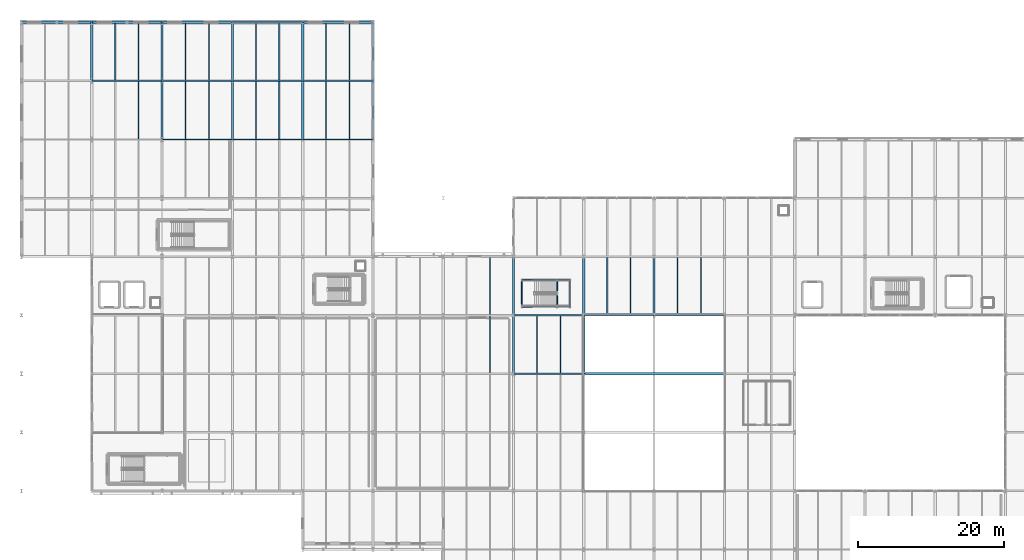
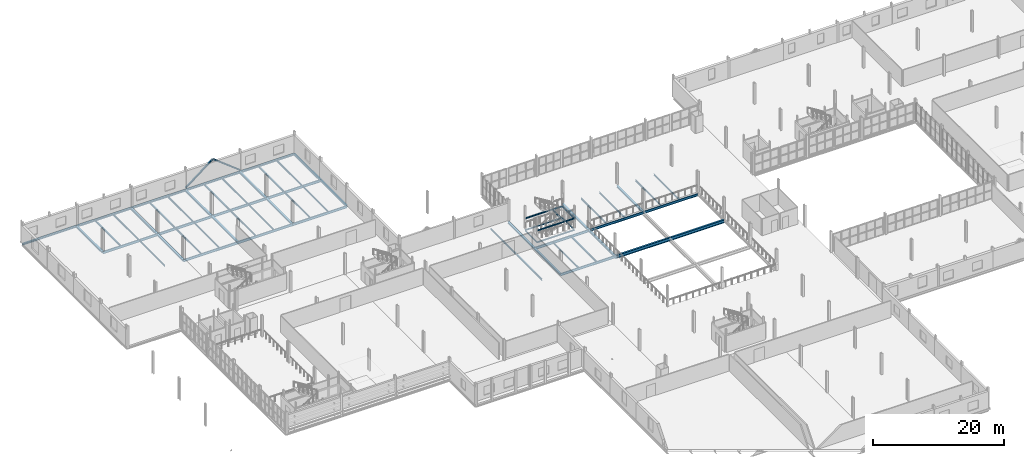
# One storey, part 38 of 78: 62 beams, 2 members.
"""IFC4 building model written with IfcOpenShell, lengths in metres."""

from ifc_helpers import new_model, si_unit, direction, frame, origin, origin_2d, place, context, subcontext, project, spatial, i_section, extrude, material, material_profile, profile_set, type_object, element, save


model = new_model("IFC4")

# Units and contexts
model_context = context("Model", 3, precision=1e-05, world=origin(), true_north=direction((0.0, 1.0)))
body_context = subcontext(model_context, "Body", "Model", "MODEL_VIEW")
ifc_project = project(units=[si_unit("LENGTHUNIT", "METRE"), si_unit("AREAUNIT", "SQUARE_METRE"), si_unit("VOLUMEUNIT", "CUBIC_METRE"), si_unit("PLANEANGLEUNIT", "RADIAN"), si_unit("MASSUNIT", "GRAM", prefix="KILO")], contexts=[model_context])

# Site, building, storey
site_placement = place(None, origin())
site = spatial("IfcSite", under=ifc_project, at=site_placement, CompositionType="ELEMENT")
building_placement = place(site_placement, origin())
building = spatial("IfcBuilding", under=site, at=building_placement, Name="Alderhovde Museum", CompositionType="ELEMENT")
storey_placement = place(building_placement, frame((0.0, 0.0, 4.5)))
storey = spatial("IfcBuildingStorey", under=building, at=storey_placement, Name="L01", CompositionType="ELEMENT", Elevation=4.5)

# Beams
ifc_material_1 = material(Name="Steel S355J2", Category="steel")
ifc_material_profile_1 = material_profile(ifc_material_1, i_section(OverallWidth=0.300048828125, OverallDepth=0.330078125, WebThickness=0.009521484375, FlangeThickness=0.0166015625, FilletRadius=0.027099609375, at=origin_2d()), Name="HEA 340")
ifc_profile_set_1 = profile_set([ifc_material_profile_1], Name="Steel S355J2")
beam_type_1 = type_object("IfcBeamType", Name="BM-HEA340", PredefinedType="BEAM", material=ifc_profile_set_1)
for number, where, z_axis, x_axis, name in (
    (1, (19.199951171875, 104.0, -0.425048828125), (0.0, 1.0, 0.0), (-1.0, 0.0, 0.0), "L01 Grid Beam X=19.2 (104.0 TO 112.0)"),
    (2, (28.800048828125, 96.0, -0.425048828125), (0.0, 1.0, 0.0), (-1.0, 0.0, 0.0), "L01 Grid Beam X=28.8 (96.0 TO 104.0)"),
    (3, (28.800048828125, 104.0, -0.425048828125), (0.0, 1.0, 0.0), (-1.0, 0.0, 0.0), "L01 Grid Beam X=28.8 (104.0 TO 112.0)"),
    (4, (38.39990234375, 96.0, -0.425048828125), (0.0, 1.0, 0.0), (-1.0, 0.0, 0.0), "L01 Grid Beam X=38.4 (96.0 TO 104.0)"),
    (5, (38.39990234375, 104.0, -0.425048828125), (0.0, 1.0, 0.0), (-1.0, 0.0, 0.0), "L01 Grid Beam X=38.4 (104.0 TO 112.0)"),
    (6, (48.0, 96.0, -0.425048828125), (0.0, 1.0, 0.0), (-1.0, 0.0, 0.0), "L01 Grid Beam X=48.0 (96.0 TO 104.0)"),
    (7, (48.0, 104.0, -0.425048828125), (0.0, 1.0, 0.0), (-1.0, 0.0, 0.0), "L01 Grid Beam X=48.0 (104.0 TO 112.0)"),
    (8, (57.60009765625, 96.0, -0.425048828125), (0.0, 1.0, 0.0), (-1.0, 0.0, 0.0), "L01 Grid Beam X=57.6 (96.0 TO 104.0)"),
    (9, (57.60009765625, 104.0, -0.425048828125), (0.0, 1.0, 0.0), (-1.0, 0.0, 0.0), "L01 Grid Beam X=57.6 (104.0 TO 112.0)"),
    (10, (76.800048828125, 64.0, -0.425048828125), (0.0, 1.0, 0.0), (-1.0, 0.0, 0.0), "L01 Grid Beam X=76.8 (64.0 TO 72.0)"),
    (11, (76.800048828125, 72.0, -0.425048828125), (0.0, 1.0, 0.0), (-1.0, 0.0, 0.0), "L01 Grid Beam X=76.8 (72.0 TO 80.0)"),
    (12, (86.39990234375, 64.0, -0.425048828125), (0.0, 1.0, 0.0), (-1.0, 0.0, 0.0), "L01 Grid Beam X=86.4 (64.0 TO 72.0)"),
    (13, (86.39990234375, 72.0, -0.425048828125), (0.0, 1.0, 0.0), (-1.0, 0.0, 0.0), "L01 Grid Beam X=86.4 (72.0 TO 80.0)"),
    (14, (96.0, 72.0, -0.425048828125), (0.0, 1.0, 0.0), (-1.0, 0.0, 0.0), "L01 Grid Beam X=96.0 (72.0 TO 80.0)"),
):
    element("IfcBeam", number, at=place(storey_placement, frame(where, z_axis=z_axis, x_axis=x_axis)), inside=storey, type_object=beam_type_1, Name=name, PredefinedType="BEAM", context=body_context, shape_type="SweptSolid", body=[
        extrude(i_section(OverallWidth=0.300048828125, OverallDepth=0.330078125, WebThickness=0.009521484375, FlangeThickness=0.0166015625, FilletRadius=0.027099609375, at=origin_2d()), origin(), (0.0, 0.0, 1.0), 8.0),
    ])
ifc_material_2 = material(Name="Steel S355J2", Category="steel")
ifc_material_profile_2 = material_profile(ifc_material_2, i_section(OverallWidth=0.300048828125, OverallDepth=0.60009765625, WebThickness=0.015380859375, FlangeThickness=0.030029296875, FilletRadius=0.027099609375, at=origin_2d()), Name="HEB 600")
ifc_profile_set_2 = profile_set([ifc_material_profile_2], Name="Steel S355J2")
beam_type_2 = type_object("IfcBeamType", Name="BM-HEB600", PredefinedType="BEAM", material=ifc_profile_set_2)
beam_1_placement = place(storey_placement, frame((86.39990234375, 64.0, -0.56005859375), z_axis=(1.0, 0.0, 0.0), x_axis=(0.0, 1.0, 0.0)))
element("IfcBeam", 15, at=beam_1_placement, inside=storey, type_object=beam_type_2, Name="L01 Grid Beam Y=64.0 (86.4 TO 105.6)", PredefinedType="BEAM", context=body_context, shape_type="SweptSolid", body=[
    extrude(i_section(OverallWidth=0.300048828125, OverallDepth=0.60009765625, WebThickness=0.015380859375, FlangeThickness=0.030029296875, FilletRadius=0.027099609375, at=origin_2d()), origin(), (0.0, 0.0, 1.0), 19.2001953125),
])
ifc_material_3 = material(Name="Steel S355J2", Category="steel")
ifc_material_profile_3 = material_profile(ifc_material_3, i_section(OverallWidth=0.1201171875, OverallDepth=0.239990234375, WebThickness=0.006103515625, FlangeThickness=0.009765625, FilletRadius=0.014892578125, at=origin_2d()), Name="IPE 240")
ifc_profile_set_3 = profile_set([ifc_material_profile_3], Name="Steel S355J2")
beam_type_3 = type_object("IfcBeamType", Name="BM-IPE240", PredefinedType="BEAM", material=ifc_profile_set_3)
for number, where, z_axis, x_axis, name in (
    (16, (77.919921875, 73.1201171875, -0.3798828125), (1.0, 0.0, 0.0), (0.0, 1.0, 0.0), "L01 Stair ST5 Floor Trimmer S"),
    (17, (77.919921875, 76.840087890625, -0.3798828125), (1.0, 0.0, 0.0), (0.0, 1.0, 0.0), "L01 Stair ST5 Floor Trimmer N"),
):
    element("IfcBeam", number, at=place(storey_placement, frame(where, z_axis=z_axis, x_axis=x_axis)), inside=storey, type_object=beam_type_3, Name=name, PredefinedType="BEAM", context=body_context, shape_type="SweptSolid", body=[
        extrude(i_section(OverallWidth=0.1201171875, OverallDepth=0.239990234375, WebThickness=0.006103515625, FlangeThickness=0.009765625, FilletRadius=0.014892578125, at=origin_2d()), origin(), (0.0, 0.0, 1.0), 6.60009765625),
    ])
for number, where, z_axis, x_axis, name in (
    (18, (77.919921875, 73.1201171875, -0.3798828125), (0.0, 1.0, 0.0), (-1.0, 0.0, 0.0), "L01 Stair ST5 Floor Trimmer W"),
    (19, (84.52001953125, 73.1201171875, -0.3798828125), (0.0, 1.0, 0.0), (-1.0, 0.0, 0.0), "L01 Stair ST5 Floor Trimmer E"),
):
    element("IfcBeam", number, at=place(storey_placement, frame(where, z_axis=z_axis, x_axis=x_axis)), inside=storey, type_object=beam_type_3, Name=name, PredefinedType="BEAM", context=body_context, shape_type="SweptSolid", body=[
        extrude(i_section(OverallWidth=0.1201171875, OverallDepth=0.239990234375, WebThickness=0.006103515625, FlangeThickness=0.009765625, FilletRadius=0.014892578125, at=origin_2d()), origin(), (0.0, 0.0, 1.0), 3.719970703125),
    ])
for number, where, z_axis, x_axis, name in (
    (20, (77.919921875, 73.1201171875, 1.780029296875), (1.0, 0.0, 0.0), (0.0, 1.0, 0.0), "L01 Stair ST5 Landing 1 Beam S"),
    (21, (77.919921875, 76.840087890625, 1.780029296875), (1.0, 0.0, 0.0), (0.0, 1.0, 0.0), "L01 Stair ST5 Landing 1 Beam N"),
):
    element("IfcBeam", number, at=place(storey_placement, frame(where, z_axis=z_axis, x_axis=x_axis)), inside=storey, type_object=beam_type_3, Name=name, PredefinedType="BEAM", context=body_context, shape_type="SweptSolid", body=[
        extrude(i_section(OverallWidth=0.1201171875, OverallDepth=0.239990234375, WebThickness=0.006103515625, FlangeThickness=0.009765625, FilletRadius=0.014892578125, at=origin_2d()), origin(), (0.0, 0.0, 1.0), 6.60009765625),
    ])
for number, where, z_axis, x_axis, name in (
    (22, (82.760009765625, 73.1201171875, 1.780029296875), (0.0, 1.0, 0.0), (-1.0, 0.0, 0.0), "L01 Stair ST5 Landing 1 Beam W"),
    (23, (84.43994140625, 73.1201171875, 1.780029296875), (0.0, 1.0, 0.0), (-1.0, 0.0, 0.0), "L01 Stair ST5 Landing 1 Beam E"),
):
    element("IfcBeam", number, at=place(storey_placement, frame(where, z_axis=z_axis, x_axis=x_axis)), inside=storey, type_object=beam_type_3, Name=name, PredefinedType="BEAM", context=body_context, shape_type="SweptSolid", body=[
        extrude(i_section(OverallWidth=0.1201171875, OverallDepth=0.239990234375, WebThickness=0.006103515625, FlangeThickness=0.009765625, FilletRadius=0.014892578125, at=origin_2d()), origin(), (0.0, 0.0, 1.0), 3.719970703125),
    ])
ifc_material_4 = material(Name="Steel S355J2", Category="steel")
ifc_material_profile_4 = material_profile(ifc_material_4, i_section(OverallWidth=0.18994140625, OverallDepth=0.449951171875, WebThickness=0.009521484375, FlangeThickness=0.0146484375, FilletRadius=0.02099609375, at=origin_2d()), Name="IPE 450")
ifc_profile_set_4 = profile_set([ifc_material_profile_4], Name="Steel S355J2")
beam_type_4 = type_object("IfcBeamType", Name="BM-IPE450", PredefinedType="BEAM", material=ifc_profile_set_4)
for number, where, z_axis, x_axis, name in (
    (24, (76.800048828125, 64.0, -0.485107421875), (1.0, 0.0, 0.0), (0.0, 1.0, 0.0), "L01 Grid Beam Y=64.0 (76.8 TO 86.4)"),
    (25, (76.800048828125, 72.0, -0.485107421875), (1.0, 0.0, 0.0), (0.0, 1.0, 0.0), "L01 Grid Beam Y=72.0 (76.8 TO 86.4)"),
):
    element("IfcBeam", number, at=place(storey_placement, frame(where, z_axis=z_axis, x_axis=x_axis)), inside=storey, type_object=beam_type_4, Name=name, PredefinedType="BEAM", context=body_context, shape_type="SweptSolid", body=[
        extrude(i_section(OverallWidth=0.18994140625, OverallDepth=0.449951171875, WebThickness=0.009521484375, FlangeThickness=0.0146484375, FilletRadius=0.02099609375, at=origin_2d()), origin(), (0.0, 0.0, 1.0), 9.599853515625),
    ])
for number, where, z_axis, x_axis, name in (
    (26, (86.39990234375, 72.0, -0.485107421875), (1.0, 0.0, 0.0), (0.0, 1.0, 0.0), "L01 Grid Beam Y=72.0 (86.4 TO 96.0)"),
    (27, (96.0, 72.0, -0.485107421875), (1.0, 0.0, 0.0), (0.0, 1.0, 0.0), "L01 Grid Beam Y=72.0 (96.0 TO 105.6)"),
):
    element("IfcBeam", number, at=place(storey_placement, frame(where, z_axis=z_axis, x_axis=x_axis)), inside=storey, type_object=beam_type_4, Name=name, PredefinedType="BEAM", context=body_context, shape_type="SweptSolid", body=[
        extrude(i_section(OverallWidth=0.18994140625, OverallDepth=0.449951171875, WebThickness=0.009521484375, FlangeThickness=0.0146484375, FilletRadius=0.02099609375, at=origin_2d()), origin(), (0.0, 0.0, 1.0), 9.60009765625),
    ])
beam_2_placement = place(storey_placement, frame((28.800048828125, 96.0, -0.485107421875), z_axis=(1.0, 0.0, 0.0), x_axis=(0.0, 1.0, 0.0)))
element("IfcBeam", 28, at=beam_2_placement, inside=storey, type_object=beam_type_4, Name="L01 Grid Beam Y=96.0 (28.8 TO 38.4)", PredefinedType="BEAM", context=body_context, shape_type="SweptSolid", body=[
    extrude(i_section(OverallWidth=0.18994140625, OverallDepth=0.449951171875, WebThickness=0.009521484375, FlangeThickness=0.0146484375, FilletRadius=0.02099609375, at=origin_2d()), origin(), (0.0, 0.0, 1.0), 9.599853515625),
])
for number, where, z_axis, x_axis, name in (
    (29, (38.39990234375, 96.0, -0.485107421875), (1.0, 0.0, 0.0), (0.0, 1.0, 0.0), "L01 Grid Beam Y=96.0 (38.4 TO 48.0)"),
    (30, (48.0, 96.0, -0.485107421875), (1.0, 0.0, 0.0), (0.0, 1.0, 0.0), "L01 Grid Beam Y=96.0 (48.0 TO 57.6)"),
    (31, (19.199951171875, 104.0, -0.485107421875), (1.0, 0.0, 0.0), (0.0, 1.0, 0.0), "L01 Grid Beam Y=104.0 (19.2 TO 28.8)"),
):
    element("IfcBeam", number, at=place(storey_placement, frame(where, z_axis=z_axis, x_axis=x_axis)), inside=storey, type_object=beam_type_4, Name=name, PredefinedType="BEAM", context=body_context, shape_type="SweptSolid", body=[
        extrude(i_section(OverallWidth=0.18994140625, OverallDepth=0.449951171875, WebThickness=0.009521484375, FlangeThickness=0.0146484375, FilletRadius=0.02099609375, at=origin_2d()), origin(), (0.0, 0.0, 1.0), 9.60009765625),
    ])
beam_3_placement = place(storey_placement, frame((28.800048828125, 104.0, -0.485107421875), z_axis=(1.0, 0.0, 0.0), x_axis=(0.0, 1.0, 0.0)))
element("IfcBeam", 32, at=beam_3_placement, inside=storey, type_object=beam_type_4, Name="L01 Grid Beam Y=104.0 (28.8 TO 38.4)", PredefinedType="BEAM", context=body_context, shape_type="SweptSolid", body=[
    extrude(i_section(OverallWidth=0.18994140625, OverallDepth=0.449951171875, WebThickness=0.009521484375, FlangeThickness=0.0146484375, FilletRadius=0.02099609375, at=origin_2d()), origin(), (0.0, 0.0, 1.0), 9.599853515625),
])
for number, where, z_axis, x_axis, name in (
    (33, (38.39990234375, 104.0, -0.485107421875), (1.0, 0.0, 0.0), (0.0, 1.0, 0.0), "L01 Grid Beam Y=104.0 (38.4 TO 48.0)"),
    (34, (48.0, 104.0, -0.485107421875), (1.0, 0.0, 0.0), (0.0, 1.0, 0.0), "L01 Grid Beam Y=104.0 (48.0 TO 57.6)"),
):
    element("IfcBeam", number, at=place(storey_placement, frame(where, z_axis=z_axis, x_axis=x_axis)), inside=storey, type_object=beam_type_4, Name=name, PredefinedType="BEAM", context=body_context, shape_type="SweptSolid", body=[
        extrude(i_section(OverallWidth=0.18994140625, OverallDepth=0.449951171875, WebThickness=0.009521484375, FlangeThickness=0.0146484375, FilletRadius=0.02099609375, at=origin_2d()), origin(), (0.0, 0.0, 1.0), 9.60009765625),
    ])

# Members
ifc_material_5 = material(Name="Steel S355J2", Category="steel")
ifc_material_profile_5 = material_profile(ifc_material_5, i_section(OverallWidth=0.239990234375, OverallDepth=0.22998046875, WebThickness=0.007568359375, FlangeThickness=0.011962890625, FilletRadius=0.02099609375, at=origin_2d()), Name="HEA 240")
ifc_profile_set_5 = profile_set([ifc_material_profile_5], Name="Steel S355J2")
member_type = type_object("IfcMemberType", Name="BR-HEA240", PredefinedType="BRACE", material=ifc_profile_set_5)
for number, where, z_axis, x_axis, name in (
    (35, (38.39990234375, 112.0, 0.0), (0.790420405146, 0.0, 0.612564758314), (0.0, 1.0, 0.0), "L01 Chevron Brace BR-V4-N-L"),
    (36, (48.0, 112.0, 0.0), (-0.790420405146, 0.0, 0.612564758314), (0.0, -1.0, 0.0), "L01 Chevron Brace BR-V4-N-R"),
):
    element("IfcMember", number, at=place(storey_placement, frame(where, z_axis=z_axis, x_axis=x_axis)), inside=storey, type_object=member_type, Name=name, PredefinedType="BRACE", context=body_context, shape_type="SweptSolid", body=[
        extrude(i_section(OverallWidth=0.239990234375, OverallDepth=0.22998046875, WebThickness=0.007568359375, FlangeThickness=0.011962890625, FilletRadius=0.02099609375, at=origin_2d()), origin(), (0.0, 0.0, 1.0), 6.07275390625),
    ])

# Beams
ifc_material_6 = material(Name="Steel S355J2", Category="steel")
ifc_material_profile_6 = material_profile(ifc_material_6, i_section(OverallWidth=0.14990234375, OverallDepth=0.300048828125, WebThickness=0.007080078125, FlangeThickness=0.0107421875, FilletRadius=0.014892578125, at=origin_2d()), Name="IPE 300")
ifc_profile_set_6 = profile_set([ifc_material_profile_6], Name="Steel S355J2")
beam_type_5 = type_object("IfcBeamType", Name="JST-IPE300", PredefinedType="JOIST", material=ifc_profile_set_6)
beam_4_placement = place(storey_placement, frame((25.60009765625, 96.094970703125, -0.409912109375), z_axis=(0.0, 1.0, 0.0), x_axis=(-1.0, 0.0, 0.0)))
element("IfcBeam", 37, at=beam_4_placement, inside=storey, type_object=beam_type_5, Name="L01 Composite Joist X=25.6 (96.0 TO 104.0)", PredefinedType="JOIST", context=body_context, shape_type="SweptSolid", body=[
    extrude(i_section(OverallWidth=0.14990234375, OverallDepth=0.300048828125, WebThickness=0.007080078125, FlangeThickness=0.0107421875, FilletRadius=0.014892578125, at=origin_2d()), origin(), (0.0, 0.0, 1.0), 7.81005859375),
])
for number, where, z_axis, x_axis, name in (
    (38, (22.39990234375, 104.094970703125, -0.409912109375), (0.0, 1.0, 0.0), (-1.0, 0.0, 0.0), "L01 Composite Joist X=22.4 (104.0 TO 112.0)"),
    (39, (25.60009765625, 104.094970703125, -0.409912109375), (0.0, 1.0, 0.0), (-1.0, 0.0, 0.0), "L01 Composite Joist X=25.6 (104.0 TO 112.0)"),
):
    element("IfcBeam", number, at=place(storey_placement, frame(where, z_axis=z_axis, x_axis=x_axis)), inside=storey, type_object=beam_type_5, Name=name, PredefinedType="JOIST", context=body_context, shape_type="SweptSolid", body=[
        extrude(i_section(OverallWidth=0.14990234375, OverallDepth=0.300048828125, WebThickness=0.007080078125, FlangeThickness=0.0107421875, FilletRadius=0.014892578125, at=origin_2d()), origin(), (0.0, 0.0, 1.0), 7.755126953125),
    ])
for number, where, z_axis, x_axis, name in (
    (40, (32.0, 96.094970703125, -0.409912109375), (0.0, 1.0, 0.0), (-1.0, 0.0, 0.0), "L01 Composite Joist X=32.0 (96.0 TO 104.0)"),
    (41, (35.199951171875, 96.094970703125, -0.409912109375), (0.0, 1.0, 0.0), (-1.0, 0.0, 0.0), "L01 Composite Joist X=35.2 (96.0 TO 104.0)"),
):
    element("IfcBeam", number, at=place(storey_placement, frame(where, z_axis=z_axis, x_axis=x_axis)), inside=storey, type_object=beam_type_5, Name=name, PredefinedType="JOIST", context=body_context, shape_type="SweptSolid", body=[
        extrude(i_section(OverallWidth=0.14990234375, OverallDepth=0.300048828125, WebThickness=0.007080078125, FlangeThickness=0.0107421875, FilletRadius=0.014892578125, at=origin_2d()), origin(), (0.0, 0.0, 1.0), 7.81005859375),
    ])
for number, where, z_axis, x_axis, name in (
    (42, (32.0, 104.094970703125, -0.409912109375), (0.0, 1.0, 0.0), (-1.0, 0.0, 0.0), "L01 Composite Joist X=32.0 (104.0 TO 112.0)"),
    (43, (35.199951171875, 104.094970703125, -0.409912109375), (0.0, 1.0, 0.0), (-1.0, 0.0, 0.0), "L01 Composite Joist X=35.2 (104.0 TO 112.0)"),
):
    element("IfcBeam", number, at=place(storey_placement, frame(where, z_axis=z_axis, x_axis=x_axis)), inside=storey, type_object=beam_type_5, Name=name, PredefinedType="JOIST", context=body_context, shape_type="SweptSolid", body=[
        extrude(i_section(OverallWidth=0.14990234375, OverallDepth=0.300048828125, WebThickness=0.007080078125, FlangeThickness=0.0107421875, FilletRadius=0.014892578125, at=origin_2d()), origin(), (0.0, 0.0, 1.0), 7.755126953125),
    ])
for number, where, z_axis, x_axis, name in (
    (44, (41.60009765625, 96.094970703125, -0.409912109375), (0.0, 1.0, 0.0), (-1.0, 0.0, 0.0), "L01 Composite Joist X=41.6 (96.0 TO 104.0)"),
    (45, (44.800048828125, 96.094970703125, -0.409912109375), (0.0, 1.0, 0.0), (-1.0, 0.0, 0.0), "L01 Composite Joist X=44.8 (96.0 TO 104.0)"),
):
    element("IfcBeam", number, at=place(storey_placement, frame(where, z_axis=z_axis, x_axis=x_axis)), inside=storey, type_object=beam_type_5, Name=name, PredefinedType="JOIST", context=body_context, shape_type="SweptSolid", body=[
        extrude(i_section(OverallWidth=0.14990234375, OverallDepth=0.300048828125, WebThickness=0.007080078125, FlangeThickness=0.0107421875, FilletRadius=0.014892578125, at=origin_2d()), origin(), (0.0, 0.0, 1.0), 7.81005859375),
    ])
for number, where, z_axis, x_axis, name in (
    (46, (41.60009765625, 104.094970703125, -0.409912109375), (0.0, 1.0, 0.0), (-1.0, 0.0, 0.0), "L01 Composite Joist X=41.6 (104.0 TO 112.0)"),
    (47, (44.800048828125, 104.094970703125, -0.409912109375), (0.0, 1.0, 0.0), (-1.0, 0.0, 0.0), "L01 Composite Joist X=44.8 (104.0 TO 112.0)"),
):
    element("IfcBeam", number, at=place(storey_placement, frame(where, z_axis=z_axis, x_axis=x_axis)), inside=storey, type_object=beam_type_5, Name=name, PredefinedType="JOIST", context=body_context, shape_type="SweptSolid", body=[
        extrude(i_section(OverallWidth=0.14990234375, OverallDepth=0.300048828125, WebThickness=0.007080078125, FlangeThickness=0.0107421875, FilletRadius=0.014892578125, at=origin_2d()), origin(), (0.0, 0.0, 1.0), 7.755126953125),
    ])
for number, where, z_axis, x_axis, name in (
    (48, (51.199951171875, 96.094970703125, -0.409912109375), (0.0, 1.0, 0.0), (-1.0, 0.0, 0.0), "L01 Composite Joist X=51.2 (96.0 TO 104.0)"),
    (49, (54.39990234375, 96.094970703125, -0.409912109375), (0.0, 1.0, 0.0), (-1.0, 0.0, 0.0), "L01 Composite Joist X=54.4 (96.0 TO 104.0)"),
):
    element("IfcBeam", number, at=place(storey_placement, frame(where, z_axis=z_axis, x_axis=x_axis)), inside=storey, type_object=beam_type_5, Name=name, PredefinedType="JOIST", context=body_context, shape_type="SweptSolid", body=[
        extrude(i_section(OverallWidth=0.14990234375, OverallDepth=0.300048828125, WebThickness=0.007080078125, FlangeThickness=0.0107421875, FilletRadius=0.014892578125, at=origin_2d()), origin(), (0.0, 0.0, 1.0), 7.81005859375),
    ])
for number, where, z_axis, x_axis, name in (
    (50, (51.199951171875, 104.094970703125, -0.409912109375), (0.0, 1.0, 0.0), (-1.0, 0.0, 0.0), "L01 Composite Joist X=51.2 (104.0 TO 112.0)"),
    (51, (54.39990234375, 104.094970703125, -0.409912109375), (0.0, 1.0, 0.0), (-1.0, 0.0, 0.0), "L01 Composite Joist X=54.4 (104.0 TO 112.0)"),
):
    element("IfcBeam", number, at=place(storey_placement, frame(where, z_axis=z_axis, x_axis=x_axis)), inside=storey, type_object=beam_type_5, Name=name, PredefinedType="JOIST", context=body_context, shape_type="SweptSolid", body=[
        extrude(i_section(OverallWidth=0.14990234375, OverallDepth=0.300048828125, WebThickness=0.007080078125, FlangeThickness=0.0107421875, FilletRadius=0.014892578125, at=origin_2d()), origin(), (0.0, 0.0, 1.0), 7.755126953125),
    ])
beam_5_placement = place(storey_placement, frame((73.60009765625, 64.094970703125, -0.409912109375), z_axis=(0.0, 1.0, 0.0), x_axis=(-1.0, 0.0, 0.0)))
element("IfcBeam", 52, at=beam_5_placement, inside=storey, type_object=beam_type_5, Name="L01 Composite Joist X=73.6 (64.0 TO 72.0)", PredefinedType="JOIST", context=body_context, shape_type="SweptSolid", body=[
    extrude(i_section(OverallWidth=0.14990234375, OverallDepth=0.300048828125, WebThickness=0.007080078125, FlangeThickness=0.0107421875, FilletRadius=0.014892578125, at=origin_2d()), origin(), (0.0, 0.0, 1.0), 7.81005859375),
])
beam_6_placement = place(storey_placement, frame((73.60009765625, 72.094970703125, -0.409912109375), z_axis=(0.0, 1.0, 0.0), x_axis=(-1.0, 0.0, 0.0)))
element("IfcBeam", 53, at=beam_6_placement, inside=storey, type_object=beam_type_5, Name="L01 Composite Joist X=73.6 (72.0 TO 80.0)", PredefinedType="JOIST", context=body_context, shape_type="SweptSolid", body=[
    extrude(i_section(OverallWidth=0.14990234375, OverallDepth=0.300048828125, WebThickness=0.007080078125, FlangeThickness=0.0107421875, FilletRadius=0.014892578125, at=origin_2d()), origin(), (0.0, 0.0, 1.0), 7.755126953125),
])
for number, where, z_axis, x_axis, name in (
    (54, (80.0, 64.094970703125, -0.409912109375), (0.0, 1.0, 0.0), (-1.0, 0.0, 0.0), "L01 Composite Joist X=80.0 (64.0 TO 72.0)"),
    (55, (83.199951171875, 64.094970703125, -0.409912109375), (0.0, 1.0, 0.0), (-1.0, 0.0, 0.0), "L01 Composite Joist X=83.2 (64.0 TO 72.0)"),
    (56, (89.60009765625, 72.094970703125, -0.409912109375), (0.0, 1.0, 0.0), (-1.0, 0.0, 0.0), "L01 Composite Joist X=89.6 (72.0 TO 80.0)"),
    (57, (92.800048828125, 72.094970703125, -0.409912109375), (0.0, 1.0, 0.0), (-1.0, 0.0, 0.0), "L01 Composite Joist X=92.8 (72.0 TO 80.0)"),
    (58, (99.199951171875, 72.094970703125, -0.409912109375), (0.0, 1.0, 0.0), (-1.0, 0.0, 0.0), "L01 Composite Joist X=99.2 (72.0 TO 80.0)"),
    (59, (102.39990234375, 72.094970703125, -0.409912109375), (0.0, 1.0, 0.0), (-1.0, 0.0, 0.0), "L01 Composite Joist X=102.4 (72.0 TO 80.0)"),
):
    element("IfcBeam", number, at=place(storey_placement, frame(where, z_axis=z_axis, x_axis=x_axis)), inside=storey, type_object=beam_type_5, Name=name, PredefinedType="JOIST", context=body_context, shape_type="SweptSolid", body=[
        extrude(i_section(OverallWidth=0.14990234375, OverallDepth=0.300048828125, WebThickness=0.007080078125, FlangeThickness=0.0107421875, FilletRadius=0.014892578125, at=origin_2d()), origin(), (0.0, 0.0, 1.0), 7.81005859375),
    ])
ifc_material_7 = material(Name="Steel S355J2", Category="steel")
ifc_material_profile_7 = material_profile(ifc_material_7, i_section(OverallWidth=0.300048828125, OverallDepth=0.2900390625, WebThickness=0.008544921875, FlangeThickness=0.013916015625, FilletRadius=0.027099609375, at=origin_2d()), Name="HEA 300")
ifc_profile_set_7 = profile_set([ifc_material_profile_7], Name="Steel S355J2")
beam_type_6 = type_object("IfcBeamType", Name="SPD-HEA300", PredefinedType="SPANDREL", material=ifc_profile_set_7)
beam_7_placement = place(storey_placement, frame((9.60009765625, 112.0, -0.405029296875), z_axis=(1.0, 0.0, 0.0), x_axis=(0.0, 1.0, 0.0)))
element("IfcBeam", 60, at=beam_7_placement, inside=storey, type_object=beam_type_6, Name="L01 Grid Beam Y=112.0 (9.6 TO 19.2)", PredefinedType="SPANDREL", context=body_context, shape_type="SweptSolid", body=[
    extrude(i_section(OverallWidth=0.300048828125, OverallDepth=0.2900390625, WebThickness=0.008544921875, FlangeThickness=0.013916015625, FilletRadius=0.027099609375, at=origin_2d()), origin(), (0.0, 0.0, 1.0), 9.599853515625),
])
beam_8_placement = place(storey_placement, frame((19.199951171875, 112.0, -0.405029296875), z_axis=(1.0, 0.0, 0.0), x_axis=(0.0, 1.0, 0.0)))
element("IfcBeam", 61, at=beam_8_placement, inside=storey, type_object=beam_type_6, Name="L01 Grid Beam Y=112.0 (19.2 TO 28.8)", PredefinedType="SPANDREL", context=body_context, shape_type="SweptSolid", body=[
    extrude(i_section(OverallWidth=0.300048828125, OverallDepth=0.2900390625, WebThickness=0.008544921875, FlangeThickness=0.013916015625, FilletRadius=0.027099609375, at=origin_2d()), origin(), (0.0, 0.0, 1.0), 9.60009765625),
])
beam_9_placement = place(storey_placement, frame((28.800048828125, 112.0, -0.405029296875), z_axis=(1.0, 0.0, 0.0), x_axis=(0.0, 1.0, 0.0)))
element("IfcBeam", 62, at=beam_9_placement, inside=storey, type_object=beam_type_6, Name="L01 Grid Beam Y=112.0 (28.8 TO 38.4)", PredefinedType="SPANDREL", context=body_context, shape_type="SweptSolid", body=[
    extrude(i_section(OverallWidth=0.300048828125, OverallDepth=0.2900390625, WebThickness=0.008544921875, FlangeThickness=0.013916015625, FilletRadius=0.027099609375, at=origin_2d()), origin(), (0.0, 0.0, 1.0), 9.599853515625),
])
for number, where, z_axis, x_axis, name in (
    (63, (38.39990234375, 112.0, -0.405029296875), (1.0, 0.0, 0.0), (0.0, 1.0, 0.0), "L01 Grid Beam Y=112.0 (38.4 TO 48.0)"),
    (64, (48.0, 112.0, -0.405029296875), (1.0, 0.0, 0.0), (0.0, 1.0, 0.0), "L01 Grid Beam Y=112.0 (48.0 TO 57.6)"),
):
    element("IfcBeam", number, at=place(storey_placement, frame(where, z_axis=z_axis, x_axis=x_axis)), inside=storey, type_object=beam_type_6, Name=name, PredefinedType="SPANDREL", context=body_context, shape_type="SweptSolid", body=[
        extrude(i_section(OverallWidth=0.300048828125, OverallDepth=0.2900390625, WebThickness=0.008544921875, FlangeThickness=0.013916015625, FilletRadius=0.027099609375, at=origin_2d()), origin(), (0.0, 0.0, 1.0), 9.60009765625),
    ])

save(model, "model.ifc")
